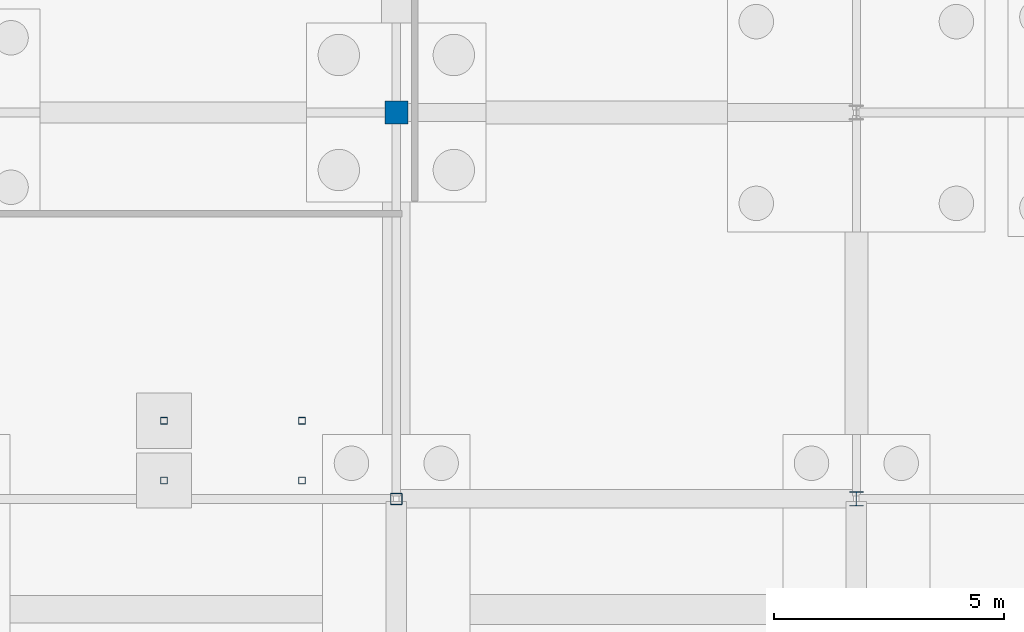
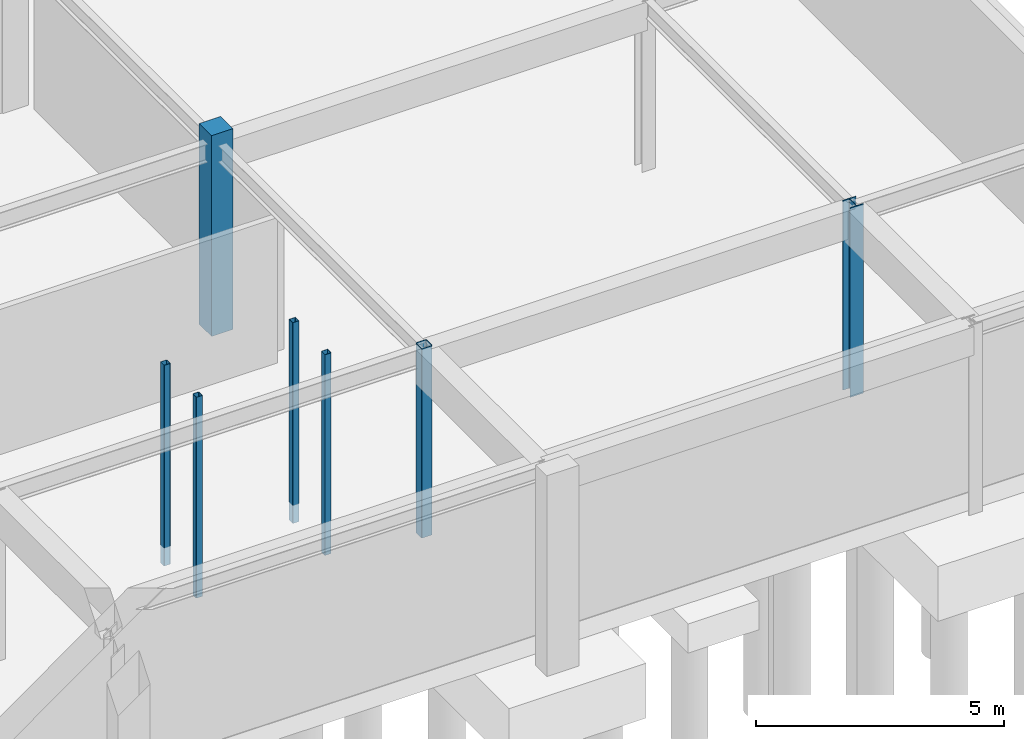
# One storey, part 54 of 75: 7 columns.
"""IFC4 building model written with IfcOpenShell, lengths in metres."""

from ifc_helpers import new_model, si_unit, derived_unit, direction, frame, origin, origin_2d_with_axis, place, context, subcontext, project, spatial, rectangle, hollow_rectangle, i_section, extrude, material, material_profile, profile_set, type_object, element, save


model = new_model("IFC4")

# Units and contexts
model_context = context("Model", 3, precision=1e-05, world=origin(), true_north=direction((0.0, 1.0)))
body_context = subcontext(model_context, "Body", "Model", "MODEL_VIEW")
ifc_project = project(units=[si_unit("LENGTHUNIT", "METRE"), si_unit("AREAUNIT", "SQUARE_METRE"), si_unit("VOLUMEUNIT", "CUBIC_METRE"), si_unit("PLANEANGLEUNIT", "RADIAN"), si_unit("MASSUNIT", "GRAM", prefix="KILO"), derived_unit("THERMALTRANSMITTANCEUNIT", [(si_unit("POWERUNIT", "WATT"), 1), (si_unit("LENGTHUNIT", "METRE"), -2), (si_unit("THERMODYNAMICTEMPERATUREUNIT", "KELVIN"), -1)])], contexts=[model_context])

# Site, building, storey
site_placement = place(None, origin())
site = spatial("IfcSite", under=ifc_project, at=site_placement, CompositionType="ELEMENT")
building_placement = place(site_placement, origin())
building = spatial("IfcBuilding", under=site, at=building_placement, Name="Cinnabar Yard Market Hall", CompositionType="ELEMENT")
storey_placement = place(building_placement, frame((0.0, 0.0, -4.5)))
storey = spatial("IfcBuildingStorey", under=building, at=storey_placement, Name="B1", CompositionType="ELEMENT", Elevation=-4.5)

# Columns
ifc_material_1 = material(Name="Steel Grade 300 (300 MPa)", Category="steel")
ifc_material_profile_1 = material_profile(ifc_material_1, i_section(OverallWidth=0.307373046875, OverallDepth=0.314697265625, WebThickness=0.011962890625, FlangeThickness=0.018798828125, FilletRadius=0.0166015625, at=origin_2d_with_axis()), Name="310UC118")
ifc_profile_set_1 = profile_set([ifc_material_profile_1], Name="Steel Grade 300 (300 MPa)")
column_type_1 = type_object("IfcColumnType", Name="COL-C08", PredefinedType="COLUMN", material=ifc_profile_set_1)
column_1_placement = place(storey_placement, frame((156.0, 112.800048828125, -0.449951171875), z_axis=(0.0, 0.0, 1.0), x_axis=(1.0, 0.0, 0.0)))
element("IfcColumn", 1, at=column_1_placement, inside=storey, type_object=column_type_1, Name="Wing Column V3-10-02 B1", PredefinedType="COLUMN", context=body_context, shape_type="SweptSolid", body=[
    extrude(i_section(OverallWidth=0.307373046875, OverallDepth=0.314697265625, WebThickness=0.011962890625, FlangeThickness=0.018798828125, FilletRadius=0.0166015625, at=origin_2d_with_axis()), origin(), (0.0, 0.0, 1.0), 4.669921875),
])
ifc_material_2 = material(Name="Cold-formed steel C350L0", Category="steel")
ifc_material_profile_2 = material_profile(ifc_material_2, hollow_rectangle(XDim=0.14990234375, YDim=0.14990234375, WallThickness=0.006103515625, InnerFilletRadius=0.006103515625, OuterFilletRadius=0.011962890625, at=origin_2d_with_axis()), Name="150x150x6.0SHS")
ifc_profile_set_2 = profile_set([ifc_material_profile_2], Name="Cold-formed steel C350L0")
column_type_2 = type_object("IfcColumnType", Name="COL-C16", PredefinedType="COLUMN", material=ifc_profile_set_2)
for number, where, z_axis, x_axis, name in (
    (2, (140.949951171875, 113.199951171875, -0.449951171875), (0.0, 0.0, 1.0), (1.0, 0.0, 0.0), "Feature Stair Pier ST-F6-1"),
    (3, (143.949951171875, 113.199951171875, -0.449951171875), (0.0, 0.0, 1.0), (1.0, 0.0, 0.0), "Feature Stair Pier ST-F6-2"),
    (4, (140.949951171875, 114.5, -0.449951171875), (0.0, 0.0, 1.0), (1.0, 0.0, 0.0), "Feature Stair Pier ST-F6-3"),
    (5, (143.949951171875, 114.5, -0.449951171875), (0.0, 0.0, 1.0), (1.0, 0.0, 0.0), "Feature Stair Pier ST-F6-4"),
):
    element("IfcColumn", number, at=place(storey_placement, frame(where, z_axis=z_axis, x_axis=x_axis)), inside=storey, type_object=column_type_2, Name=name, PredefinedType="COLUMN", context=body_context, shape_type="SweptSolid", body=[
        extrude(hollow_rectangle(XDim=0.14990234375, YDim=0.14990234375, WallThickness=0.006103515625, InnerFilletRadius=0.006103515625, OuterFilletRadius=0.011962890625, at=origin_2d_with_axis()), origin(), (0.0, 0.0, 1.0), 4.949951171875),
    ])
ifc_material_profile_3 = material_profile(ifc_material_2, hollow_rectangle(XDim=0.25, YDim=0.25, WallThickness=0.009033203125, InnerFilletRadius=0.009033203125, OuterFilletRadius=0.01806640625, at=origin_2d_with_axis()), Name="250x250x9.0SHS")
ifc_profile_set_3 = profile_set([ifc_material_profile_3], Name="Cold-formed steel C350L0")
column_type_3 = type_object("IfcColumnType", Name="COL-C20", PredefinedType="COLUMN", material=ifc_profile_set_3)
column_2_placement = place(storey_placement, frame((146.0, 112.800048828125, -0.449951171875), z_axis=(0.0, 0.0, 1.0), x_axis=(1.0, 0.0, 0.0)))
element("IfcColumn", 6, at=column_2_placement, inside=storey, type_object=column_type_3, Name="Wing Column V3-09-02 B1", PredefinedType="COLUMN", context=body_context, shape_type="SweptSolid", body=[
    extrude(hollow_rectangle(XDim=0.25, YDim=0.25, WallThickness=0.009033203125, InnerFilletRadius=0.009033203125, OuterFilletRadius=0.01806640625, at=origin_2d_with_axis()), origin(), (0.0, 0.0, 1.0), 4.669921875),
])
ifc_material_3 = material(Name="Concrete 40 MPa", Category="concrete")
ifc_material_profile_4 = material_profile(ifc_material_3, rectangle(XDim=0.5, YDim=0.5, at=origin_2d_with_axis()), Name="RC-500x500")
ifc_profile_set_4 = profile_set([ifc_material_profile_4], Name="Concrete 40 MPa")
column_type_4 = type_object("IfcColumnType", Name="COL-RC1", PredefinedType="COLUMN", material=ifc_profile_set_4)
column_3_placement = place(storey_placement, frame((146.0, 121.199951171875, -0.449951171875), z_axis=(0.0, 0.0, 1.0), x_axis=(1.0, 0.0, 0.0)))
element("IfcColumn", 7, at=column_3_placement, inside=storey, type_object=column_type_4, Name="Wing Column V3-09-03 B1", PredefinedType="COLUMN", context=body_context, shape_type="SweptSolid", body=[
    extrude(rectangle(XDim=0.5, YDim=0.5, at=origin_2d_with_axis()), origin(), (0.0, 0.0, 1.0), 4.949951171875),
])

save(model, "model.ifc")
